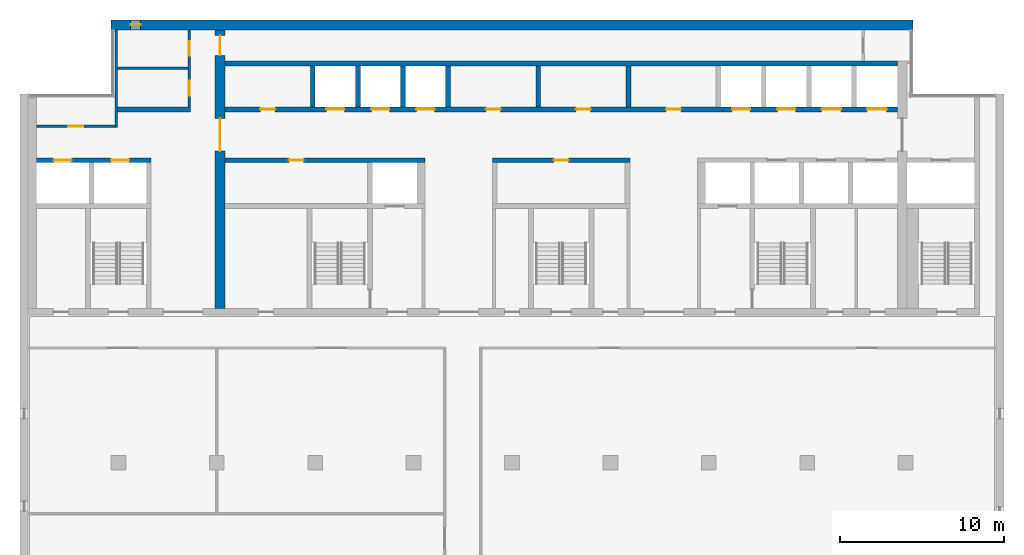
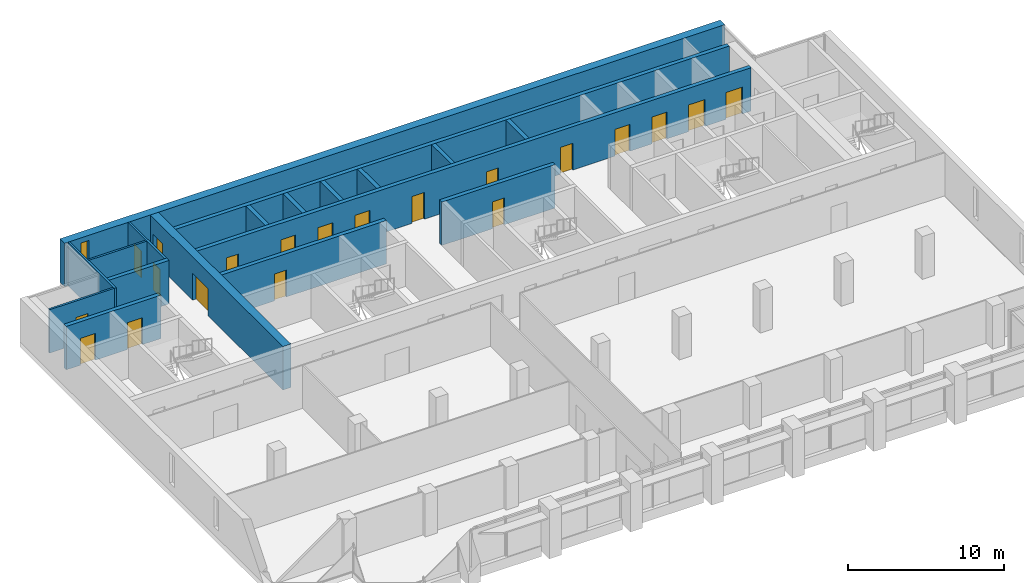
# One storey, part 10 of 14: 20 doors, 18 walls, 1 window, 21 openings.
"""IFC4 building model written with IfcOpenShell, lengths in metres."""

from ifc_helpers import new_model, si_unit, direction, frame, frame_2d, origin, place, context, subcontext, project, spatial, rectangle, extrude, material, layer, layer_set, type_object, element, fill, save


model = new_model("IFC4")

# Units and contexts
model_context = context("Model", 3, precision=1e-05, world=origin(), true_north=direction((0.0, 1.0)))
body_context = subcontext(model_context, "Body", "Model", "MODEL_VIEW")
ifc_project = project(units=[si_unit("LENGTHUNIT", "METRE"), si_unit("AREAUNIT", "SQUARE_METRE"), si_unit("VOLUMEUNIT", "CUBIC_METRE"), si_unit("PLANEANGLEUNIT", "RADIAN"), si_unit("MASSUNIT", "GRAM", prefix="KILO")], contexts=[model_context])

# Site, building, storey
site_placement = place(None, origin())
site = spatial("IfcSite", under=ifc_project, at=site_placement, CompositionType="ELEMENT")
building_placement = place(site_placement, origin())
building = spatial("IfcBuilding", under=site, at=building_placement, Name="Calvaro Tower", CompositionType="ELEMENT")
storey_placement = place(building_placement, frame((0.0, 0.0, 239.35009765625)))
storey = spatial("IfcBuildingStorey", under=building, at=storey_placement, Name="L60", CompositionType="ELEMENT", Elevation=239.35009765625)

# Wall
ifc_material_1 = material(Name="Blockwork partition", Category="masonry")
ifc_layer_1 = layer(ifc_material_1, 0.14990234375)
ifc_layer_set_1 = layer_set([ifc_layer_1], Name="Blockwork partition")
wall_type_1 = type_object("IfcWallType", Name="Core partition 150 EI 60", PredefinedType="PARTITIONING", material=ifc_layer_set_1)
wall_1_placement = place(storey_placement, frame((11.949951171875, 43.050048828125, 0.0), z_axis=(0.0, 0.0, 1.0), x_axis=(1.0, 0.0, 0.0)))
element("IfcWall", 1, at=wall_1_placement, inside=storey, type_object=wall_type_1, Name="Core partition", PredefinedType="PARTITIONING", context=body_context, shape_type="SweptSolid", body=[
    extrude(rectangle(XDim=4.300048828125, YDim=0.14990234375, at=frame_2d((2.14990234375, 0.0))), origin(), (0.0, 0.0, 1.0), 3.39990234375),
])

# Wall, openings, doors
ifc_material_2 = material(Name="Blockwork partition", Category="masonry")
ifc_layer_2 = layer(ifc_material_2, 0.14990234375)
ifc_layer_set_2 = layer_set([ifc_layer_2], Name="Blockwork partition")
wall_type_2 = type_object("IfcWallType", Name="Core partition 150 REI 120", PredefinedType="PARTITIONING", material=ifc_layer_set_2)
wall_2_placement = place(storey_placement, frame((16.324951171875, 45.39990234375, 0.0), z_axis=(0.0, 0.0, 1.0), x_axis=(0.0, -1.0, 0.0)))
wall_2 = element("IfcWall", 2, at=wall_2_placement, inside=storey, type_object=wall_type_2, Name="Core partition", PredefinedType="PARTITIONING", context=body_context, shape_type="SweptSolid", body=[
    extrude(rectangle(XDim=4.699951171875, YDim=0.14990234375, at=frame_2d((2.35009765625, 0.0))), origin(), (0.0, 0.0, 1.0), 3.39990234375),
])
opening_1_placement = place(wall_2_placement, frame((3.112548828125, 0.0, 0.0)))
opening_1 = element("IfcOpeningElement", 3, at=opening_1_placement, cuts=wall_2, Name="Opening RD9", PredefinedType="OPENING", context=body_context, shape_type="SweptSolid", body=[
    extrude(rectangle(XDim=0.89990234375, YDim=2.10009765625, at=frame_2d((0.449951171875, 1.050048828125))), frame((0.0, 0.0849609375, 0.0), z_axis=(0.0, -1.0, 0.0), x_axis=(1.0, 0.0, 0.0)), (0.0, 0.0, 1.0), 0.169921875),
])
opening_2_placement = place(wall_2_placement, frame((0.6875, 0.0, 0.0)))
opening_2 = element("IfcOpeningElement", 4, at=opening_2_placement, cuts=wall_2, Name="Opening RD9", PredefinedType="OPENING", context=body_context, shape_type="SweptSolid", body=[
    extrude(rectangle(XDim=0.89990234375, YDim=2.10009765625, at=frame_2d((0.449951171875, 1.050048828125))), frame((0.0, 0.0849609375, 0.0), z_axis=(0.0, -1.0, 0.0), x_axis=(1.0, 0.0, 0.0)), (0.0, 0.0, 1.0), 0.169921875),
])
ifc_material_3 = material(Name="Steel door set", Category="steel")
door_type_1 = type_object("IfcDoorType", Name="Room door 900", OperationType="SINGLE_SWING_LEFT", PredefinedType="DOOR", material=ifc_material_3)
door_1_placement = place(opening_1_placement, origin())
door_1 = element("IfcDoor", 5, at=door_1_placement, inside=storey, type_object=door_type_1, Name="Room door", OperationType="SINGLE_SWING_RIGHT", OverallHeight=2.10009765625, OverallWidth=0.89990234375, PredefinedType="DOOR", context=body_context, shape_type="SweptSolid", body=[
    extrude(rectangle(XDim=0.89990234375, YDim=2.10009765625, at=frame_2d((0.449951171875, 1.050048828125))), frame((0.0, 0.02490234375, 0.0), z_axis=(0.0, -1.0, 0.0), x_axis=(1.0, 0.0, 0.0)), (0.0, 0.0, 1.0), 0.050048828125),
])
fill(opening_1, door_1)
door_2_placement = place(opening_2_placement, origin())
door_2 = element("IfcDoor", 6, at=door_2_placement, inside=storey, type_object=door_type_1, Name="Room door", OperationType="SINGLE_SWING_LEFT", OverallHeight=2.10009765625, OverallWidth=0.89990234375, PredefinedType="DOOR", context=body_context, shape_type="SweptSolid", body=[
    extrude(rectangle(XDim=0.89990234375, YDim=2.10009765625, at=frame_2d((0.449951171875, 1.050048828125))), frame((0.0, 0.02490234375, 0.0), z_axis=(0.0, -1.0, 0.0), x_axis=(1.0, 0.0, 0.0)), (0.0, 0.0, 1.0), 0.050048828125),
])
fill(opening_2, door_2)

# Wall
wall_3_placement = place(storey_placement, frame((11.875, 39.449951171875, 0.0), z_axis=(0.0, 0.0, 1.0), x_axis=(0.0, 1.0, 0.0)))
element("IfcWall", 7, at=wall_3_placement, inside=storey, type_object=wall_type_2, Name="Core partition", PredefinedType="PARTITIONING", context=body_context, shape_type="SweptSolid", body=[
    extrude(rectangle(XDim=5.949951171875, YDim=0.14990234375, at=frame_2d((2.97509765625, 0.0))), origin(), (0.0, 0.0, 1.0), 3.39990234375),
])

# Wall, opening, door
wall_4_placement = place(storey_placement, frame((7.0, 39.52490234375, 0.0), z_axis=(0.0, 0.0, 1.0), x_axis=(1.0, 0.0, 0.0)))
wall_4 = element("IfcWall", 8, at=wall_4_placement, inside=storey, type_object=wall_type_2, Name="Core partition", PredefinedType="PARTITIONING", context=body_context, shape_type="SweptSolid", body=[
    extrude(rectangle(XDim=4.800048828125, YDim=0.14990234375, at=frame_2d((2.39990234375, 0.0))), origin(), (0.0, 0.0, 1.0), 3.39990234375),
])
opening_3_placement = place(wall_4_placement, frame((1.949951171875, 0.0, 0.0)))
opening_3 = element("IfcOpeningElement", 9, at=opening_3_placement, cuts=wall_4, Name="Opening RD9", PredefinedType="OPENING", context=body_context, shape_type="SweptSolid", body=[
    extrude(rectangle(XDim=0.89990234375, YDim=2.10009765625, at=frame_2d((0.449951171875, 1.050048828125))), frame((0.0, 0.0849609375, 0.0), z_axis=(0.0, -1.0, 0.0), x_axis=(1.0, 0.0, 0.0)), (0.0, 0.0, 1.0), 0.169921875),
])
door_3_placement = place(opening_3_placement, origin())
door_3 = element("IfcDoor", 10, at=door_3_placement, inside=storey, type_object=door_type_1, Name="Room door", OperationType="SINGLE_SWING_LEFT", OverallHeight=2.10009765625, OverallWidth=0.89990234375, PredefinedType="DOOR", context=body_context, shape_type="SweptSolid", body=[
    extrude(rectangle(XDim=0.89990234375, YDim=2.10009765625, at=frame_2d((0.449951171875, 1.050048828125))), frame((0.0, 0.02490234375, 0.0), z_axis=(0.0, -1.0, 0.0), x_axis=(1.0, 0.0, 0.0)), (0.0, 0.0, 1.0), 0.050048828125),
])
fill(opening_3, door_3)

# Walls
ifc_material_4 = material(Name="Blockwork partition", Category="masonry")
ifc_layer_3 = layer(ifc_material_4, 0.300048828125)
ifc_layer_set_3 = layer_set([ifc_layer_3], Name="Blockwork partition")
wall_type_3 = type_object("IfcWallType", Name="Core partition 300 EI 60", PredefinedType="PARTITIONING", material=ifc_layer_set_3)
wall_5_placement = place(storey_placement, frame((37.60009765625, 40.699951171875, 0.0), z_axis=(0.0, 0.0, 1.0), x_axis=(0.0, 1.0, 0.0)))
element("IfcWall", 11, at=wall_5_placement, inside=storey, type_object=wall_type_3, Name="Core partition", PredefinedType="PARTITIONING", context=body_context, shape_type="SweptSolid", body=[
    extrude(rectangle(XDim=2.5, YDim=0.300048828125, at=frame_2d((1.25, 0.0))), origin(), (0.0, 0.0, 1.0), 3.39990234375),
])
ifc_material_5 = material(Name="Blockwork partition", Category="masonry")
ifc_layer_4 = layer(ifc_material_5, 0.300048828125)
ifc_layer_set_4 = layer_set([ifc_layer_4], Name="Blockwork partition")
wall_type_4 = type_object("IfcWallType", Name="Core partition 300 REI 120", PredefinedType="PARTITIONING", material=ifc_layer_set_4)
wall_6_placement = place(storey_placement, frame((11.949951171875, 40.550048828125, 0.0), z_axis=(0.0, 0.0, 1.0), x_axis=(1.0, 0.0, 0.0)))
element("IfcWall", 12, at=wall_6_placement, inside=storey, type_object=wall_type_4, Name="Core partition", PredefinedType="PARTITIONING", context=body_context, shape_type="SweptSolid", body=[
    extrude(rectangle(XDim=4.449951171875, YDim=0.300048828125, at=frame_2d((2.22509765625, 0.0))), origin(), (0.0, 0.0, 1.0), 3.39990234375),
])
wall_7_placement = place(storey_placement, frame((43.10009765625, 40.699951171875, 0.0), z_axis=(0.0, 0.0, 1.0), x_axis=(0.0, 1.0, 0.0)))
element("IfcWall", 13, at=wall_7_placement, inside=storey, type_object=wall_type_4, Name="Core partition", PredefinedType="PARTITIONING", context=body_context, shape_type="SweptSolid", body=[
    extrude(rectangle(XDim=2.5, YDim=0.300048828125, at=frame_2d((1.25, 0.0))), origin(), (0.0, 0.0, 1.0), 3.39990234375),
])

# Wall, openings, doors
ifc_material_6 = material(Name="Concrete C40/50", Category="concrete")
ifc_layer_5 = layer(ifc_material_6, 0.300048828125)
ifc_layer_set_5 = layer_set([ifc_layer_5], Name="Concrete C40/50")
wall_type_5 = type_object("IfcWallType", Name="Core wall C40/50 300", PredefinedType="SHEAR", material=ifc_layer_set_5)
wall_8_placement = place(storey_placement, frame((7.0, 37.449951171875, 0.0), z_axis=(0.0, 0.0, 1.0), x_axis=(1.0, 0.0, 0.0)))
wall_8 = element("IfcWall", 14, at=wall_8_placement, inside=storey, type_object=wall_type_5, Name="Core wall, lift shaft", PredefinedType="SHEAR", context=body_context, shape_type="SweptSolid", body=[
    extrude(rectangle(XDim=7.0, YDim=0.300048828125, at=frame_2d((3.5, 0.0))), origin(), (0.0, 0.0, 1.0), 3.39990234375),
])
opening_4_placement = place(wall_8_placement, frame((1.050048828125, 0.0, 0.0)))
opening_4 = element("IfcOpeningElement", 15, at=opening_4_placement, cuts=wall_8, Name="Opening EX1", PredefinedType="OPENING", context=body_context, shape_type="SweptSolid", body=[
    extrude(rectangle(XDim=1.10009765625, YDim=2.10009765625, at=frame_2d((0.550048828125, 1.050048828125))), frame((0.0, 0.159912109375, 0.0), z_axis=(0.0, -1.0, 0.0), x_axis=(1.0, 0.0, 0.0)), (0.0, 0.0, 1.0), 0.320068359375),
])
opening_5_placement = place(wall_8_placement, frame((4.550048828125, 0.0, 0.0)))
opening_5 = element("IfcOpeningElement", 16, at=opening_5_placement, cuts=wall_8, Name="Opening EX2", PredefinedType="OPENING", context=body_context, shape_type="SweptSolid", body=[
    extrude(rectangle(XDim=1.10009765625, YDim=2.10009765625, at=frame_2d((0.550048828125, 1.050048828125))), frame((0.0, 0.159912109375, 0.0), z_axis=(0.0, -1.0, 0.0), x_axis=(1.0, 0.0, 0.0)), (0.0, 0.0, 1.0), 0.320068359375),
])
ifc_material_7 = material(Name="Stainless steel", Category="steel")
door_type_2 = type_object("IfcDoorType", Name="Landing door 1100 E 60", OperationType="SLIDING_TO_LEFT", PredefinedType="DOOR", material=ifc_material_7)
door_4_placement = place(opening_4_placement, origin())
door_4 = element("IfcDoor", 17, at=door_4_placement, inside=storey, type_object=door_type_2, Name="Landing door EX1", OperationType="SLIDING_TO_LEFT", OverallHeight=2.10009765625, OverallWidth=1.10009765625, PredefinedType="DOOR", context=body_context, shape_type="SweptSolid", body=[
    extrude(rectangle(XDim=1.10009765625, YDim=2.10009765625, at=frame_2d((0.550048828125, 1.050048828125))), frame((0.0, 0.02490234375, 0.0), z_axis=(0.0, -1.0, 0.0), x_axis=(1.0, 0.0, 0.0)), (0.0, 0.0, 1.0), 0.050048828125),
])
fill(opening_4, door_4)
door_5_placement = place(opening_5_placement, origin())
door_5 = element("IfcDoor", 18, at=door_5_placement, inside=storey, type_object=door_type_2, Name="Landing door EX2", OperationType="SLIDING_TO_LEFT", OverallHeight=2.10009765625, OverallWidth=1.10009765625, PredefinedType="DOOR", context=body_context, shape_type="SweptSolid", body=[
    extrude(rectangle(XDim=1.10009765625, YDim=2.10009765625, at=frame_2d((0.550048828125, 1.050048828125))), frame((0.0, 0.02490234375, 0.0), z_axis=(0.0, -1.0, 0.0), x_axis=(1.0, 0.0, 0.0)), (0.0, 0.0, 1.0), 0.050048828125),
])
fill(opening_5, door_5)

# Wall, opening, door
wall_9_placement = place(storey_placement, frame((30.699951171875, 37.449951171875, 0.0), z_axis=(0.0, 0.0, 1.0), x_axis=(-1.0, 0.0, 0.0)))
wall_9 = element("IfcWall", 19, at=wall_9_placement, inside=storey, type_object=wall_type_5, Name="Core wall, bay", PredefinedType="SHEAR", context=body_context, shape_type="SweptSolid", body=[
    extrude(rectangle(XDim=12.199951171875, YDim=0.300048828125, at=frame_2d((6.10009765625, 0.0))), origin(), (0.0, 0.0, 1.0), 3.39990234375),
])
opening_6_placement = place(wall_9_placement, frame((7.39990234375, 0.0, 0.0)))
opening_6 = element("IfcOpeningElement", 20, at=opening_6_placement, cuts=wall_9, Name="Opening RD9E", PredefinedType="OPENING", context=body_context, shape_type="SweptSolid", body=[
    extrude(rectangle(XDim=0.89990234375, YDim=2.10009765625, at=frame_2d((0.449951171875, 1.050048828125))), frame((0.0, 0.159912109375, 0.0), z_axis=(0.0, -1.0, 0.0), x_axis=(1.0, 0.0, 0.0)), (0.0, 0.0, 1.0), 0.320068359375),
])
ifc_material_8 = material(Name="Steel door set", Category="steel")
door_type_3 = type_object("IfcDoorType", Name="Room door 900 FD60", OperationType="SINGLE_SWING_LEFT", PredefinedType="DOOR", material=ifc_material_8)
door_6_placement = place(opening_6_placement, origin())
door_6 = element("IfcDoor", 21, at=door_6_placement, inside=storey, type_object=door_type_3, Name="Room door", OperationType="SINGLE_SWING_LEFT", OverallHeight=2.10009765625, OverallWidth=0.89990234375, PredefinedType="DOOR", context=body_context, shape_type="SweptSolid", body=[
    extrude(rectangle(XDim=0.89990234375, YDim=2.10009765625, at=frame_2d((0.449951171875, 1.050048828125))), frame((0.0, 0.02490234375, 0.0), z_axis=(0.0, -1.0, 0.0), x_axis=(1.0, 0.0, 0.0)), (0.0, 0.0, 1.0), 0.050048828125),
])
fill(opening_6, door_6)

wall_10_placement = place(storey_placement, frame((43.199951171875, 37.449951171875, 0.0), z_axis=(0.0, 0.0, 1.0), x_axis=(-1.0, 0.0, 0.0)))
wall_10 = element("IfcWall", 22, at=wall_10_placement, inside=storey, type_object=wall_type_5, Name="Core wall, bay", PredefinedType="SHEAR", context=body_context, shape_type="SweptSolid", body=[
    extrude(rectangle(XDim=8.39990234375, YDim=0.300048828125, at=frame_2d((4.199951171875, 0.0))), origin(), (0.0, 0.0, 1.0), 3.39990234375),
])
opening_7_placement = place(wall_10_placement, frame((3.75, 0.0, 0.0)))
opening_7 = element("IfcOpeningElement", 23, at=opening_7_placement, cuts=wall_10, Name="Opening RD9E", PredefinedType="OPENING", context=body_context, shape_type="SweptSolid", body=[
    extrude(rectangle(XDim=0.89990234375, YDim=2.10009765625, at=frame_2d((0.449951171875, 1.050048828125))), frame((0.0, 0.159912109375, 0.0), z_axis=(0.0, -1.0, 0.0), x_axis=(1.0, 0.0, 0.0)), (0.0, 0.0, 1.0), 0.320068359375),
])
door_7_placement = place(opening_7_placement, origin())
door_7 = element("IfcDoor", 24, at=door_7_placement, inside=storey, type_object=door_type_3, Name="Room door", OperationType="SINGLE_SWING_RIGHT", OverallHeight=2.10009765625, OverallWidth=0.89990234375, PredefinedType="DOOR", context=body_context, shape_type="SweptSolid", body=[
    extrude(rectangle(XDim=0.89990234375, YDim=2.10009765625, at=frame_2d((0.449951171875, 1.050048828125))), frame((0.0, 0.02490234375, 0.0), z_axis=(0.0, -1.0, 0.0), x_axis=(1.0, 0.0, 0.0)), (0.0, 0.0, 1.0), 0.050048828125),
])
fill(opening_7, door_7)

# Wall, openings, doors
wall_11_placement = place(storey_placement, frame((18.5, 40.550048828125, 0.0), z_axis=(0.0, 0.0, 1.0), x_axis=(1.0, 0.0, 0.0)))
wall_11 = element("IfcWall", 25, at=wall_11_placement, inside=storey, type_object=wall_type_5, Name="Core wall, bay", PredefinedType="SHEAR", context=body_context, shape_type="SweptSolid", body=[
    extrude(rectangle(XDim=41.0, YDim=0.300048828125, at=frame_2d((20.5, 0.0))), origin(), (0.0, 0.0, 1.0), 3.39990234375),
])
opening_8_placement = place(wall_11_placement, frame((2.14990234375, 0.0, 0.0)))
opening_8 = element("IfcOpeningElement", 26, at=opening_8_placement, cuts=wall_11, Name="Opening RD9E", PredefinedType="OPENING", context=body_context, shape_type="SweptSolid", body=[
    extrude(rectangle(XDim=0.89990234375, YDim=2.10009765625, at=frame_2d((0.449951171875, 1.050048828125))), frame((0.0, 0.159912109375, 0.0), z_axis=(0.0, -1.0, 0.0), x_axis=(1.0, 0.0, 0.0)), (0.0, 0.0, 1.0), 0.320068359375),
])
opening_9_placement = place(wall_11_placement, frame((15.89990234375, 0.0, 0.0)))
opening_9 = element("IfcOpeningElement", 27, at=opening_9_placement, cuts=wall_11, Name="Opening RD9E", PredefinedType="OPENING", context=body_context, shape_type="SweptSolid", body=[
    extrude(rectangle(XDim=0.89990234375, YDim=2.10009765625, at=frame_2d((0.449951171875, 1.050048828125))), frame((0.0, 0.159912109375, 0.0), z_axis=(0.0, -1.0, 0.0), x_axis=(1.0, 0.0, 0.0)), (0.0, 0.0, 1.0), 0.320068359375),
])
opening_10_placement = place(wall_11_placement, frame((21.39990234375, 0.0, 0.0)))
opening_10 = element("IfcOpeningElement", 28, at=opening_10_placement, cuts=wall_11, Name="Opening RD9E", PredefinedType="OPENING", context=body_context, shape_type="SweptSolid", body=[
    extrude(rectangle(XDim=0.89990234375, YDim=2.10009765625, at=frame_2d((0.449951171875, 1.050048828125))), frame((0.0, 0.159912109375, 0.0), z_axis=(0.0, -1.0, 0.0), x_axis=(1.0, 0.0, 0.0)), (0.0, 0.0, 1.0), 0.320068359375),
])
opening_11_placement = place(wall_11_placement, frame((26.89990234375, 0.0, 0.0)))
opening_11 = element("IfcOpeningElement", 29, at=opening_11_placement, cuts=wall_11, Name="Opening RD9E", PredefinedType="OPENING", context=body_context, shape_type="SweptSolid", body=[
    extrude(rectangle(XDim=0.89990234375, YDim=2.10009765625, at=frame_2d((0.449951171875, 1.050048828125))), frame((0.0, 0.159912109375, 0.0), z_axis=(0.0, -1.0, 0.0), x_axis=(1.0, 0.0, 0.0)), (0.0, 0.0, 1.0), 0.320068359375),
])
opening_12_placement = place(wall_11_placement, frame((6.175048828125, 0.0, 0.0)))
opening_12 = element("IfcOpeningElement", 30, at=opening_12_placement, cuts=wall_11, Name="Opening HR4", PredefinedType="OPENING", context=body_context, shape_type="SweptSolid", body=[
    extrude(rectangle(XDim=1.10009765625, YDim=2.10009765625, at=frame_2d((0.550048828125, 1.050048828125))), frame((0.0, 0.159912109375, 0.0), z_axis=(0.0, -1.0, 0.0), x_axis=(1.0, 0.0, 0.0)), (0.0, 0.0, 1.0), 0.320068359375),
])
opening_13_placement = place(wall_11_placement, frame((8.925048828125, 0.0, 0.0)))
opening_13 = element("IfcOpeningElement", 31, at=opening_13_placement, cuts=wall_11, Name="Opening HR5", PredefinedType="OPENING", context=body_context, shape_type="SweptSolid", body=[
    extrude(rectangle(XDim=1.10009765625, YDim=2.10009765625, at=frame_2d((0.550048828125, 1.050048828125))), frame((0.0, 0.159912109375, 0.0), z_axis=(0.0, -1.0, 0.0), x_axis=(1.0, 0.0, 0.0)), (0.0, 0.0, 1.0), 0.320068359375),
])
opening_14_placement = place(wall_11_placement, frame((11.675048828125, 0.0, 0.0)))
opening_14 = element("IfcOpeningElement", 32, at=opening_14_placement, cuts=wall_11, Name="Opening HR6", PredefinedType="OPENING", context=body_context, shape_type="SweptSolid", body=[
    extrude(rectangle(XDim=1.10009765625, YDim=2.10009765625, at=frame_2d((0.550048828125, 1.050048828125))), frame((0.0, 0.159912109375, 0.0), z_axis=(0.0, -1.0, 0.0), x_axis=(1.0, 0.0, 0.0)), (0.0, 0.0, 1.0), 0.320068359375),
])
opening_15_placement = place(wall_11_placement, frame((30.925048828125, 0.0, 0.0)))
opening_15 = element("IfcOpeningElement", 33, at=opening_15_placement, cuts=wall_11, Name="Opening HR7", PredefinedType="OPENING", context=body_context, shape_type="SweptSolid", body=[
    extrude(rectangle(XDim=1.10009765625, YDim=2.10009765625, at=frame_2d((0.550048828125, 1.050048828125))), frame((0.0, 0.159912109375, 0.0), z_axis=(0.0, -1.0, 0.0), x_axis=(1.0, 0.0, 0.0)), (0.0, 0.0, 1.0), 0.320068359375),
])
opening_16_placement = place(wall_11_placement, frame((33.675048828125, 0.0, 0.0)))
opening_16 = element("IfcOpeningElement", 34, at=opening_16_placement, cuts=wall_11, Name="Opening HR8", PredefinedType="OPENING", context=body_context, shape_type="SweptSolid", body=[
    extrude(rectangle(XDim=1.10009765625, YDim=2.10009765625, at=frame_2d((0.550048828125, 1.050048828125))), frame((0.0, 0.159912109375, 0.0), z_axis=(0.0, -1.0, 0.0), x_axis=(1.0, 0.0, 0.0)), (0.0, 0.0, 1.0), 0.320068359375),
])
opening_17_placement = place(wall_11_placement, frame((36.375, 0.0, 0.0)))
opening_17 = element("IfcOpeningElement", 35, at=opening_17_placement, cuts=wall_11, Name="Opening SV1", PredefinedType="OPENING", context=body_context, shape_type="SweptSolid", body=[
    extrude(rectangle(XDim=1.199951171875, YDim=2.10009765625, at=frame_2d((0.60009765625, 1.050048828125))), frame((0.0, 0.159912109375, 0.0), z_axis=(0.0, -1.0, 0.0), x_axis=(1.0, 0.0, 0.0)), (0.0, 0.0, 1.0), 0.320068359375),
])
opening_18_placement = place(wall_11_placement, frame((39.14990234375, 0.0, 0.0)))
opening_18 = element("IfcOpeningElement", 36, at=opening_18_placement, cuts=wall_11, Name="Opening SV2", PredefinedType="OPENING", context=body_context, shape_type="SweptSolid", body=[
    extrude(rectangle(XDim=1.199951171875, YDim=2.10009765625, at=frame_2d((0.60009765625, 1.050048828125))), frame((0.0, 0.159912109375, 0.0), z_axis=(0.0, -1.0, 0.0), x_axis=(1.0, 0.0, 0.0)), (0.0, 0.0, 1.0), 0.320068359375),
])
door_8_placement = place(opening_12_placement, origin())
door_8 = element("IfcDoor", 37, at=door_8_placement, inside=storey, type_object=door_type_2, Name="Landing door HR4", OperationType="SLIDING_TO_LEFT", OverallHeight=2.10009765625, OverallWidth=1.10009765625, PredefinedType="DOOR", context=body_context, shape_type="SweptSolid", body=[
    extrude(rectangle(XDim=1.10009765625, YDim=2.10009765625, at=frame_2d((0.550048828125, 1.050048828125))), frame((0.0, 0.02490234375, 0.0), z_axis=(0.0, -1.0, 0.0), x_axis=(1.0, 0.0, 0.0)), (0.0, 0.0, 1.0), 0.050048828125),
])
fill(opening_12, door_8)
door_9_placement = place(opening_13_placement, origin())
door_9 = element("IfcDoor", 38, at=door_9_placement, inside=storey, type_object=door_type_2, Name="Landing door HR5", OperationType="SLIDING_TO_LEFT", OverallHeight=2.10009765625, OverallWidth=1.10009765625, PredefinedType="DOOR", context=body_context, shape_type="SweptSolid", body=[
    extrude(rectangle(XDim=1.10009765625, YDim=2.10009765625, at=frame_2d((0.550048828125, 1.050048828125))), frame((0.0, 0.02490234375, 0.0), z_axis=(0.0, -1.0, 0.0), x_axis=(1.0, 0.0, 0.0)), (0.0, 0.0, 1.0), 0.050048828125),
])
fill(opening_13, door_9)
door_10_placement = place(opening_14_placement, origin())
door_10 = element("IfcDoor", 39, at=door_10_placement, inside=storey, type_object=door_type_2, Name="Landing door HR6", OperationType="SLIDING_TO_LEFT", OverallHeight=2.10009765625, OverallWidth=1.10009765625, PredefinedType="DOOR", context=body_context, shape_type="SweptSolid", body=[
    extrude(rectangle(XDim=1.10009765625, YDim=2.10009765625, at=frame_2d((0.550048828125, 1.050048828125))), frame((0.0, 0.02490234375, 0.0), z_axis=(0.0, -1.0, 0.0), x_axis=(1.0, 0.0, 0.0)), (0.0, 0.0, 1.0), 0.050048828125),
])
fill(opening_14, door_10)
door_11_placement = place(opening_15_placement, origin())
door_11 = element("IfcDoor", 40, at=door_11_placement, inside=storey, type_object=door_type_2, Name="Landing door HR7", OperationType="SLIDING_TO_LEFT", OverallHeight=2.10009765625, OverallWidth=1.10009765625, PredefinedType="DOOR", context=body_context, shape_type="SweptSolid", body=[
    extrude(rectangle(XDim=1.10009765625, YDim=2.10009765625, at=frame_2d((0.550048828125, 1.050048828125))), frame((0.0, 0.02490234375, 0.0), z_axis=(0.0, -1.0, 0.0), x_axis=(1.0, 0.0, 0.0)), (0.0, 0.0, 1.0), 0.050048828125),
])
fill(opening_15, door_11)
door_12_placement = place(opening_16_placement, origin())
door_12 = element("IfcDoor", 41, at=door_12_placement, inside=storey, type_object=door_type_2, Name="Landing door HR8", OperationType="SLIDING_TO_LEFT", OverallHeight=2.10009765625, OverallWidth=1.10009765625, PredefinedType="DOOR", context=body_context, shape_type="SweptSolid", body=[
    extrude(rectangle(XDim=1.10009765625, YDim=2.10009765625, at=frame_2d((0.550048828125, 1.050048828125))), frame((0.0, 0.02490234375, 0.0), z_axis=(0.0, -1.0, 0.0), x_axis=(1.0, 0.0, 0.0)), (0.0, 0.0, 1.0), 0.050048828125),
])
fill(opening_16, door_12)
ifc_material_9 = material(Name="Stainless steel", Category="steel")
door_type_4 = type_object("IfcDoorType", Name="Landing door 1200 E 60", OperationType="SLIDING_TO_LEFT", PredefinedType="DOOR", material=ifc_material_9)
door_13_placement = place(opening_17_placement, origin())
door_13 = element("IfcDoor", 42, at=door_13_placement, inside=storey, type_object=door_type_4, Name="Landing door SV1", OperationType="SLIDING_TO_LEFT", OverallHeight=2.10009765625, OverallWidth=1.199951171875, PredefinedType="DOOR", context=body_context, shape_type="SweptSolid", body=[
    extrude(rectangle(XDim=1.199951171875, YDim=2.10009765625, at=frame_2d((0.60009765625, 1.050048828125))), frame((0.0, 0.02490234375, 0.0), z_axis=(0.0, -1.0, 0.0), x_axis=(1.0, 0.0, 0.0)), (0.0, 0.0, 1.0), 0.050048828125),
])
fill(opening_17, door_13)
door_14_placement = place(opening_18_placement, origin())
door_14 = element("IfcDoor", 43, at=door_14_placement, inside=storey, type_object=door_type_4, Name="Landing door SV2", OperationType="SLIDING_TO_LEFT", OverallHeight=2.10009765625, OverallWidth=1.199951171875, PredefinedType="DOOR", context=body_context, shape_type="SweptSolid", body=[
    extrude(rectangle(XDim=1.199951171875, YDim=2.10009765625, at=frame_2d((0.60009765625, 1.050048828125))), frame((0.0, 0.02490234375, 0.0), z_axis=(0.0, -1.0, 0.0), x_axis=(1.0, 0.0, 0.0)), (0.0, 0.0, 1.0), 0.050048828125),
])
fill(opening_18, door_14)
door_15_placement = place(opening_8_placement, origin())
door_15 = element("IfcDoor", 44, at=door_15_placement, inside=storey, type_object=door_type_3, Name="Room door", OperationType="SINGLE_SWING_RIGHT", OverallHeight=2.10009765625, OverallWidth=0.89990234375, PredefinedType="DOOR", context=body_context, shape_type="SweptSolid", body=[
    extrude(rectangle(XDim=0.89990234375, YDim=2.10009765625, at=frame_2d((0.449951171875, 1.050048828125))), frame((0.0, 0.02490234375, 0.0), z_axis=(0.0, -1.0, 0.0), x_axis=(1.0, 0.0, 0.0)), (0.0, 0.0, 1.0), 0.050048828125),
])
fill(opening_8, door_15)
door_16_placement = place(opening_9_placement, origin())
door_16 = element("IfcDoor", 45, at=door_16_placement, inside=storey, type_object=door_type_3, Name="Room door", OperationType="SINGLE_SWING_LEFT", OverallHeight=2.10009765625, OverallWidth=0.89990234375, PredefinedType="DOOR", context=body_context, shape_type="SweptSolid", body=[
    extrude(rectangle(XDim=0.89990234375, YDim=2.10009765625, at=frame_2d((0.449951171875, 1.050048828125))), frame((0.0, 0.02490234375, 0.0), z_axis=(0.0, -1.0, 0.0), x_axis=(1.0, 0.0, 0.0)), (0.0, 0.0, 1.0), 0.050048828125),
])
fill(opening_9, door_16)
door_17_placement = place(opening_10_placement, origin())
door_17 = element("IfcDoor", 46, at=door_17_placement, inside=storey, type_object=door_type_3, Name="Room door", OperationType="SINGLE_SWING_LEFT", OverallHeight=2.10009765625, OverallWidth=0.89990234375, PredefinedType="DOOR", context=body_context, shape_type="SweptSolid", body=[
    extrude(rectangle(XDim=0.89990234375, YDim=2.10009765625, at=frame_2d((0.449951171875, 1.050048828125))), frame((0.0, 0.02490234375, 0.0), z_axis=(0.0, -1.0, 0.0), x_axis=(1.0, 0.0, 0.0)), (0.0, 0.0, 1.0), 0.050048828125),
])
fill(opening_10, door_17)
door_18_placement = place(opening_11_placement, origin())
door_18 = element("IfcDoor", 47, at=door_18_placement, inside=storey, type_object=door_type_3, Name="Room door", OperationType="SINGLE_SWING_LEFT", OverallHeight=2.10009765625, OverallWidth=0.89990234375, PredefinedType="DOOR", context=body_context, shape_type="SweptSolid", body=[
    extrude(rectangle(XDim=0.89990234375, YDim=2.10009765625, at=frame_2d((0.449951171875, 1.050048828125))), frame((0.0, 0.02490234375, 0.0), z_axis=(0.0, -1.0, 0.0), x_axis=(1.0, 0.0, 0.0)), (0.0, 0.0, 1.0), 0.050048828125),
])
fill(opening_11, door_18)

# Walls
wall_12_placement = place(storey_placement, frame((18.5, 43.35009765625, 0.0), z_axis=(0.0, 0.0, 1.0), x_axis=(1.0, 0.0, 0.0)))
element("IfcWall", 48, at=wall_12_placement, inside=storey, type_object=wall_type_5, Name="Core wall, lift shaft", PredefinedType="SHEAR", context=body_context, shape_type="SweptSolid", body=[
    extrude(rectangle(XDim=41.0, YDim=0.300048828125, at=frame_2d((20.5, 0.0))), origin(), (0.0, 0.0, 1.0), 3.39990234375),
])
for number, where, z_axis, x_axis, name in (
    (49, (23.85009765625, 40.699951171875, 0.0), (0.0, 0.0, 1.0), (0.0, 1.0, 0.0), "Core wall, lift shaft"),
    (50, (26.60009765625, 40.699951171875, 0.0), (0.0, 0.0, 1.0), (0.0, 1.0, 0.0), "Core wall, lift shaft"),
    (51, (29.35009765625, 40.699951171875, 0.0), (0.0, 0.0, 1.0), (0.0, 1.0, 0.0), "Core wall, lift shaft"),
    (52, (32.10009765625, 40.699951171875, 0.0), (0.0, 0.0, 1.0), (0.0, 1.0, 0.0), "Core wall, lift shaft"),
):
    element("IfcWall", number, at=place(storey_placement, frame(where, z_axis=z_axis, x_axis=x_axis)), inside=storey, type_object=wall_type_5, Name=name, PredefinedType="SHEAR", context=body_context, shape_type="SweptSolid", body=[
        extrude(rectangle(XDim=2.5, YDim=0.300048828125, at=frame_2d((1.25, 0.0))), origin(), (0.0, 0.0, 1.0), 3.39990234375),
    ])

# Wall, openings, doors
ifc_material_10 = material(Name="Concrete C40/50", Category="concrete")
ifc_layer_6 = layer(ifc_material_10, 0.60009765625)
ifc_layer_set_6 = layer_set([ifc_layer_6], Name="Concrete C40/50")
wall_type_6 = type_object("IfcWallType", Name="Core wall C40/50 600", PredefinedType="SHEAR", material=ifc_layer_set_6)
wall_13_placement = place(storey_placement, frame((18.199951171875, 28.39990234375, 0.0), z_axis=(0.0, 0.0, 1.0), x_axis=(0.0, 1.0, 0.0)))
wall_13 = element("IfcWall", 53, at=wall_13_placement, inside=storey, type_object=wall_type_6, Name="Core wall, cross shear wall", PredefinedType="SHEAR", context=body_context, shape_type="SweptSolid", body=[
    extrude(rectangle(XDim=17.0, YDim=0.60009765625, at=frame_2d((8.5, 0.0))), origin(), (0.0, 0.0, 1.0), 3.39990234375),
])
opening_19_placement = place(wall_13_placement, frame((9.60009765625, 0.0, 0.0)))
opening_19 = element("IfcOpeningElement", 54, at=opening_19_placement, cuts=wall_13, Name="Opening DD20D", PredefinedType="OPENING", context=body_context, shape_type="SweptSolid", body=[
    extrude(rectangle(XDim=2.0, YDim=2.10009765625, at=frame_2d((1.0, 1.050048828125))), frame((0.0, 0.31005859375, 0.0), z_axis=(0.0, -1.0, 0.0), x_axis=(1.0, 0.0, 0.0)), (0.0, 0.0, 1.0), 0.6201171875),
])
opening_20_placement = place(wall_13_placement, frame((15.449951171875, 0.0, 0.0)))
opening_20 = element("IfcOpeningElement", 55, at=opening_20_placement, cuts=wall_13, Name="Opening FD12C", PredefinedType="OPENING", context=body_context, shape_type="SweptSolid", body=[
    extrude(rectangle(XDim=1.199951171875, YDim=2.10009765625, at=frame_2d((0.60009765625, 1.050048828125))), frame((0.0, 0.31005859375, 0.0), z_axis=(0.0, -1.0, 0.0), x_axis=(1.0, 0.0, 0.0)), (0.0, 0.0, 1.0), 0.6201171875),
])
ifc_material_11 = material(Name="Steel door set", Category="steel")
door_type_5 = type_object("IfcDoorType", Name="Fire door 1200 FD30", OperationType="SINGLE_SWING_LEFT", PredefinedType="DOOR", material=ifc_material_11)
door_19_placement = place(opening_20_placement, origin())
door_19 = element("IfcDoor", 56, at=door_19_placement, inside=storey, type_object=door_type_5, Name="Fire door", OperationType="SINGLE_SWING_RIGHT", OverallHeight=2.10009765625, OverallWidth=1.199951171875, PredefinedType="DOOR", context=body_context, shape_type="SweptSolid", body=[
    extrude(rectangle(XDim=1.199951171875, YDim=2.10009765625, at=frame_2d((0.60009765625, 1.050048828125))), frame((0.0, 0.02490234375, 0.0), z_axis=(0.0, -1.0, 0.0), x_axis=(1.0, 0.0, 0.0)), (0.0, 0.0, 1.0), 0.050048828125),
])
fill(opening_20, door_19)
ifc_material_12 = material(Name="Steel door set", Category="steel")
door_type_6 = type_object("IfcDoorType", Name="Lobby double door 2000 FD30S", OperationType="DOUBLE_DOOR_SINGLE_SWING", PredefinedType="DOOR", material=ifc_material_12)
door_20_placement = place(opening_19_placement, origin())
door_20 = element("IfcDoor", 57, at=door_20_placement, inside=storey, type_object=door_type_6, Name="Lobby double door", OperationType="DOUBLE_DOOR_SINGLE_SWING", OverallHeight=2.10009765625, OverallWidth=2.0, PredefinedType="DOOR", context=body_context, shape_type="SweptSolid", body=[
    extrude(rectangle(XDim=2.0, YDim=2.10009765625, at=frame_2d((1.0, 1.050048828125))), frame((0.0, 0.02490234375, 0.0), z_axis=(0.0, -1.0, 0.0), x_axis=(1.0, 0.0, 0.0)), (0.0, 0.0, 1.0), 0.050048828125),
])
fill(opening_19, door_20)

# Wall, opening, window
ifc_material_13 = material(Name="Concrete C40/50", Category="concrete")
ifc_layer_7 = layer(ifc_material_13, 0.60009765625)
ifc_layer_set_7 = layer_set([ifc_layer_7], Name="Concrete C40/50")
wall_type_7 = type_object("IfcWallType", Name="Rear core wall 600 C40/50", PredefinedType="SHEAR", material=ifc_layer_set_7)
wall_14_placement = place(storey_placement, frame((11.550048828125, 45.699951171875, 0.0), z_axis=(0.0, 0.0, 1.0), x_axis=(1.0, 0.0, 0.0)))
wall_14 = element("IfcWall", 58, at=wall_14_placement, inside=storey, type_object=wall_type_7, Name="North core wall", PredefinedType="SHEAR", context=body_context, shape_type="SweptSolid", body=[
    extrude(rectangle(XDim=48.89990234375, YDim=0.60009765625, at=frame_2d((24.449951171875, 0.0))), origin(), (0.0, 0.0, 1.0), 3.39990234375),
])
opening_21_placement = place(wall_14_placement, frame((1.199951171875, 0.0, 0.60009765625)))
opening_21 = element("IfcOpeningElement", 59, at=opening_21_placement, cuts=wall_14, Name="Opening WN01", PredefinedType="OPENING", context=body_context, shape_type="SweptSolid", body=[
    extrude(rectangle(XDim=0.60009765625, YDim=2.39990234375, at=frame_2d((0.300048828125, 1.199951171875))), frame((0.0, 0.31005859375, 0.0), z_axis=(0.0, -1.0, 0.0), x_axis=(1.0, 0.0, 0.0)), (0.0, 0.0, 1.0), 0.6201171875),
])
ifc_material_14 = material(Name="Glass", Category="glass")
window_type = type_object("IfcWindowType", Name="Slit window 600 x 2400", PartitioningType="SINGLE_PANEL", PredefinedType="WINDOW", material=ifc_material_14)
window_placement = place(opening_21_placement, origin())
window = element("IfcWindow", 60, at=window_placement, inside=storey, type_object=window_type, Name="Window WN01", OverallHeight=2.39990234375, OverallWidth=0.60009765625, PartitioningType="SINGLE_PANEL", PredefinedType="WINDOW", context=body_context, shape_type="SweptSolid", body=[
    extrude(rectangle(XDim=0.60009765625, YDim=2.39990234375, at=frame_2d((0.300048828125, 1.199951171875))), frame((0.0, 0.030029296875, 0.0), z_axis=(0.0, -1.0, 0.0), x_axis=(1.0, 0.0, 0.0)), (0.0, 0.0, 1.0), 0.06005859375),
])
fill(opening_21, window)

save(model, "model.ifc")
